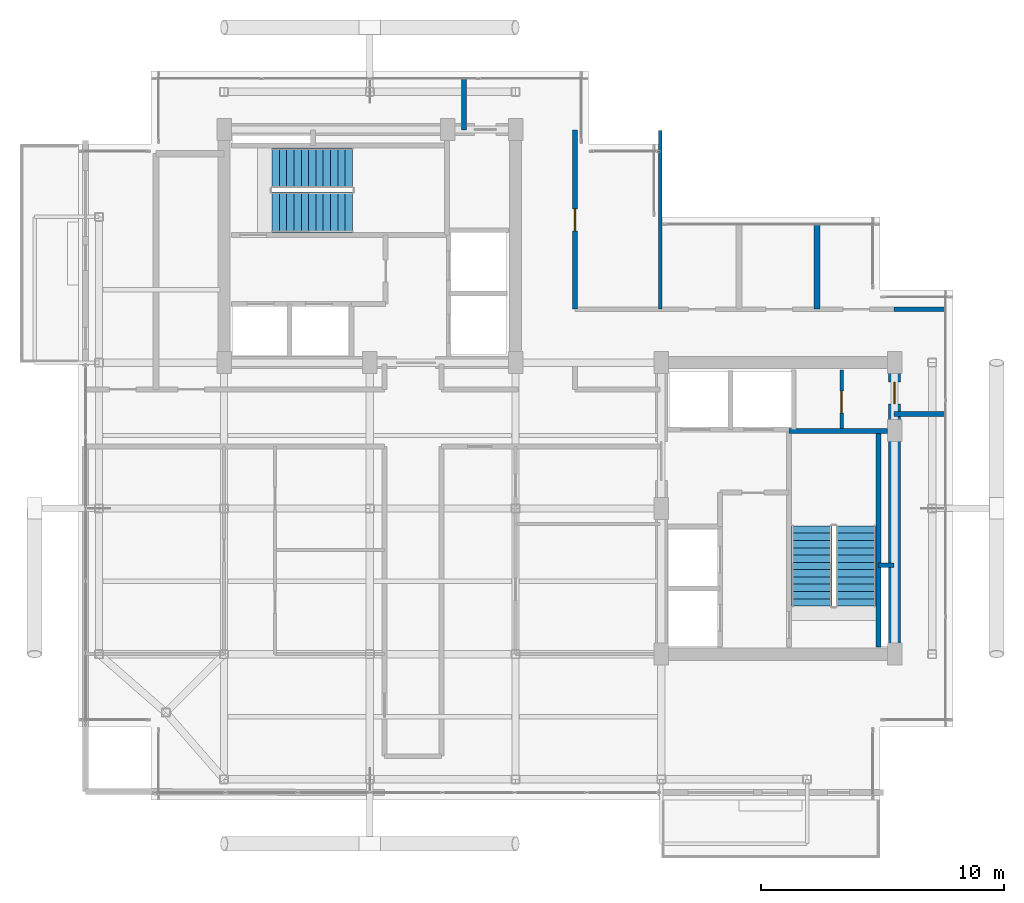
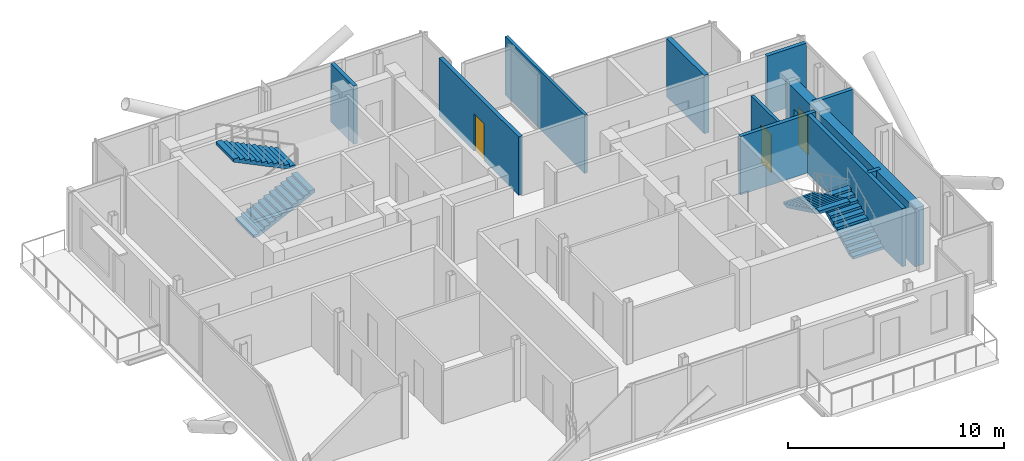
# One storey, part 16 of 18: 11 walls, 4 stair flights, 3 doors, 3 openings, 2 elements without a shape of their own.
"""IFC4 building model written with IfcOpenShell, lengths in metres."""

import ifcopenshell
import ifcopenshell.guid

model = None  # the IFC model being written
_history = None  # IfcOwnerHistory: only IFC2X3 demands one
_inside = {}  # id of a spatial element -> (the spatial element, [elements in it])
_under = {}  # id of a project, library or spatial element -> (it, [spatial elements below it])
_declared = {}  # id of a project -> (the project, [libraries it declares])
_typed = {}  # id of a type object -> (the type object, [elements of that type])
_made_of = {}  # id of a material, layer set ... -> (it, [elements and type objects made of it])


def new_model(schema):
    """Start an empty IFC model of exactly this schema.

    Asked for "IFC4X3", IfcOpenShell would pick the latest addendum, in which some entities
    have other attributes; the version numbers below select the first issue.
    IFC2X3 requires an IfcOwnerHistory on every rooted entity: one is made here for all.
    """
    global model, _history
    if schema == "IFC4X3":
        model = ifcopenshell.file(schema_version=(4, 3, 0, 0))
    else:
        model = ifcopenshell.file(schema=schema)
    _inside.clear()
    _under.clear()
    _declared.clear()
    _typed.clear()
    _made_of.clear()
    _history = None
    if model.schema == "IFC2X3":
        org = make("IfcOrganization", Name="unknown")
        user = make(
            "IfcPersonAndOrganization",
            ThePerson=make("IfcPerson", FamilyName="unknown"),
            TheOrganization=org,
        )
        app = make(
            "IfcApplication",
            ApplicationDeveloper=org,
            Version="unknown",
            ApplicationFullName="unknown",
            ApplicationIdentifier="unknown",
        )
        _history = make(
            "IfcOwnerHistory",
            OwningUser=user,
            OwningApplication=app,
            ChangeAction="ADDED",
            CreationDate=0,
        )
    return model


def make(cls, **values):
    """One entity of the class cls with the attributes given. An attribute that is None is left unset."""
    return model.create_entity(
        cls, **{name: value for name, value in values.items() if value is not None}
    )


def rooted(cls, **values):
    """An entity with a GlobalId (a new one), such as an element, a storey or a relation."""
    return make(cls, GlobalId=ifcopenshell.guid.new(), OwnerHistory=_history, **values)


def si_unit(unit_type, name, prefix=None):
    """IfcSIUnit, for example si_unit("LENGTHUNIT", "METRE", prefix="MILLI")."""
    return make("IfcSIUnit", UnitType=unit_type, Prefix=prefix, Name=name)


def assignment(units):
    """IfcUnitAssignment: the units of a project."""
    return None if units is None else make("IfcUnitAssignment", Units=units)


def point(xyz):
    """IfcCartesianPoint."""
    return None if xyz is None else make("IfcCartesianPoint", Coordinates=xyz)


def direction(xyz):
    """IfcDirection."""
    return None if xyz is None else make("IfcDirection", DirectionRatios=xyz)


def frame(location, z_axis=None, x_axis=None):
    """IfcAxis2Placement3D, a coordinate frame: its origin and axes. An axis left out is left unset."""
    return make(
        "IfcAxis2Placement3D",
        Location=point(location),
        Axis=direction(z_axis),
        RefDirection=direction(x_axis),
    )


def frame_2d(location, x_axis=None):
    """IfcAxis2Placement2D, a coordinate frame in the plane: its origin and x axis."""
    return make(
        "IfcAxis2Placement2D", Location=point(location), RefDirection=direction(x_axis)
    )


def origin():
    """The frame at (0, 0, 0) with its axes left unset."""
    return frame((0.0, 0.0, 0.0))


def place(relative_to, where):
    """IfcLocalPlacement: puts the frame where relative to a parent placement (None: the world)."""
    return make(
        "IfcLocalPlacement", PlacementRelTo=relative_to, RelativePlacement=where
    )


def context(
    kind, dimensions, precision=None, world=None, true_north=None, identifier=None
):
    """IfcGeometricRepresentationContext, for example the 3D "Model" context."""
    return make(
        "IfcGeometricRepresentationContext",
        ContextIdentifier=identifier,
        ContextType=kind,
        CoordinateSpaceDimension=dimensions,
        Precision=precision,
        WorldCoordinateSystem=world,
        TrueNorth=true_north,
    )


def subcontext(parent, identifier, kind, view, scale=None):
    """IfcGeometricRepresentationSubContext, for example "Body" below "Model"."""
    return make(
        "IfcGeometricRepresentationSubContext",
        ContextIdentifier=identifier,
        ContextType=kind,
        ParentContext=parent,
        TargetScale=scale,
        TargetView=view,
    )


def project(units=None, contexts=None):
    """IfcProject with its units and contexts."""
    return rooted(
        "IfcProject",
        Name="project",
        RepresentationContexts=contexts,
        UnitsInContext=assignment(units),
    )


def spatial(cls, under=None, at=None, **own):
    """A site, building, storey or space (cls), placed at a placement, below another one or the project."""
    s = rooted(cls, ObjectPlacement=at, **own)
    if under is not None:
        _under.setdefault(under.id(), (under, []))[1].append(s)
    return s


def polyline(points):
    """IfcPolyline through the points."""
    return make("IfcPolyline", Points=[point(p) for p in points])


def profile(cls, at=None, kind="AREA", **sizes):
    """A parametric profile (cls). Its sizes go by their IFC names, for example OverallWidth=200.0."""
    return make(cls, ProfileType=kind, Position=at, **sizes)


def rectangle(**sizes):
    """IfcRectangleProfileDef."""
    return profile("IfcRectangleProfileDef", **sizes)


def outline(outer, holes=None, kind="AREA"):
    """IfcArbitraryClosedProfileDef: a profile drawn as a closed curve; with holes, ...WithVoids."""
    if holes is None:
        return make("IfcArbitraryClosedProfileDef", ProfileType=kind, OuterCurve=outer)
    return make(
        "IfcArbitraryProfileDefWithVoids",
        ProfileType=kind,
        OuterCurve=outer,
        InnerCurves=holes,
    )


def extrude(swept, where, along, depth):
    """IfcExtrudedAreaSolid: the profile swept, set in the frame where, extruded along a direction by depth."""
    return make(
        "IfcExtrudedAreaSolid",
        SweptArea=swept,
        Position=where,
        ExtrudedDirection=direction(along),
        Depth=depth,
    )


def shape(context_of_items, identifier, shape_type, items):
    """IfcShapeRepresentation: the items that make up one representation, for example the "Body"."""
    return make(
        "IfcShapeRepresentation",
        ContextOfItems=context_of_items,
        RepresentationIdentifier=identifier,
        RepresentationType=shape_type,
        Items=items,
    )


def material(Name=None, Category=None):
    """IfcMaterial."""
    return make("IfcMaterial", Name=Name, Category=Category)


def layer(
    of_material, thickness, ventilated=None, Name=None, Category=None, Priority=None
):
    """IfcMaterialLayer: one layer of a wall or slab, of a material (None: an air gap)."""
    return make(
        "IfcMaterialLayer",
        Material=of_material,
        LayerThickness=thickness,
        IsVentilated=ventilated,
        Name=Name,
        Category=Category,
        Priority=Priority,
    )


def layer_set(layers, Name=None):
    """IfcMaterialLayerSet."""
    return make("IfcMaterialLayerSet", MaterialLayers=layers, LayerSetName=Name)


def made_of(thing, what):
    """Note that an element or type object is made of a material, layer set ...; save() writes the relation."""
    if what is not None:
        _made_of.setdefault(what.id(), (what, []))[1].append(thing)
    return thing


def type_object(cls, material=None, **own):
    """A type object (cls), such as IfcWallType, which elements share."""
    return made_of(rooted(cls, **own), material)


def element(
    cls,
    number,
    at=None,
    inside=None,
    cuts=None,
    type_object=None,
    material=None,
    context=None,
    identifier="Body",
    shape_type=None,
    held_by="IfcProductDefinitionShape",
    body=None,
    shapes=None,
    **own,
):
    """One element of the class cls, such as IfcWall. Its Tag is "e" and its number.

    at: its placement. inside: the storey or other place that contains it. cuts: it is an
    opening in that element (IfcRelVoidsElement). A single representation is given by context,
    identifier, shape_type and body (its items); several are given by shapes. held_by: the class
    of the entity that holds the representations. save() writes the other relations.
    """
    e = rooted(cls, Tag="e%d" % number, ObjectPlacement=at, **own)
    if body is not None:
        shapes = [shape(context, identifier, shape_type, body)]
    if shapes is not None:
        e.Representation = make(held_by, Representations=shapes)
    if inside is not None:
        _inside.setdefault(inside.id(), (inside, []))[1].append(e)
    if cuts is not None:
        rooted(
            "IfcRelVoidsElement", RelatingBuildingElement=cuts, RelatedOpeningElement=e
        )
    if type_object is not None:
        _typed.setdefault(type_object.id(), (type_object, []))[1].append(e)
    return made_of(e, material)


def fill(opening, filler):
    """IfcRelFillsElement: the door or window that sits in an opening."""
    return rooted(
        "IfcRelFillsElement",
        RelatingOpeningElement=opening,
        RelatedBuildingElement=filler,
    )


def aggregate(whole, parts):
    """IfcRelAggregates: a whole, such as a stair, and the parts it consists of."""
    return rooted("IfcRelAggregates", RelatingObject=whole, RelatedObjects=parts)


def save(model, path):
    """Write the relations noted so far, then the file.

    IfcRelAggregates (storeys below a building ...), IfcRelContainedInSpatialStructure (elements
    in a storey), IfcRelDefinesByType, IfcRelAssociatesMaterial and IfcRelDeclares: one each for
    every whole, place, type object, material and project.
    """
    for whole, parts in _under.values():
        aggregate(whole, parts)
    for where, things in _inside.values():
        rooted(
            "IfcRelContainedInSpatialStructure",
            RelatedElements=things,
            RelatingStructure=where,
        )
    for kind, things in _typed.values():
        rooted("IfcRelDefinesByType", RelatedObjects=things, RelatingType=kind)
    for what, things in _made_of.values():
        rooted("IfcRelAssociatesMaterial", RelatedObjects=things, RelatingMaterial=what)
    for by, libraries in _declared.values():
        rooted("IfcRelDeclares", RelatingContext=by, RelatedDefinitions=libraries)
    model.write(path)


model = new_model("IFC4")

# Units and contexts
model_context = context("Model", 3, precision=1e-05, world=origin(), true_north=direction((0.0, 1.0)))
body_context = subcontext(model_context, "Body", "Model", "MODEL_VIEW")
ifc_project = project(units=[si_unit("LENGTHUNIT", "METRE"), si_unit("AREAUNIT", "SQUARE_METRE"), si_unit("VOLUMEUNIT", "CUBIC_METRE"), si_unit("PLANEANGLEUNIT", "RADIAN"), si_unit("MASSUNIT", "GRAM", prefix="KILO"), si_unit("THERMODYNAMICTEMPERATUREUNIT", "KELVIN"), si_unit("POWERUNIT", "WATT")], contexts=[model_context])

# Site, building, storey
site_placement = place(None, origin())
site = spatial("IfcSite", under=ifc_project, at=site_placement, CompositionType="ELEMENT")
building_placement = place(site_placement, origin())
building = spatial("IfcBuilding", under=site, at=building_placement, Name="Svarakhadi Broadcast Tower", CompositionType="ELEMENT")
storey_placement = place(building_placement, frame((0.0, 0.0, 246.699951171875)))
storey = spatial("IfcBuildingStorey", under=building, at=storey_placement, Name="L61", CompositionType="ELEMENT", Elevation=246.699951171875)

# Wall
ifc_material_1 = material(Name="Double-Stud Acoustic Studio Partition STC-62", Category="gypsum")
ifc_layer_1 = layer(ifc_material_1, 0.199951171875)
ifc_layer_set_1 = layer_set([ifc_layer_1], Name="Double-Stud Acoustic Studio Partition STC-62")
wall_type_1 = type_object("IfcWallType", Name="Wall_Acoust_200", PredefinedType="PARTITIONING", material=ifc_layer_set_1)
wall_1_placement = place(storey_placement, frame((15.8798828125, 27.580078125, 0.0), z_axis=(0.0, 0.0, 1.0), x_axis=(0.0, 1.0, 0.0)))
element("IfcWall", 1, at=wall_1_placement, inside=storey, type_object=wall_type_1, Name="L61 Upper Tower Concourse Wall", PredefinedType="PARTITIONING", context=body_context, shape_type="SweptSolid", body=[
    extrude(rectangle(XDim=2.119873046875, YDim=0.199951171875, at=frame_2d((1.06005859375, 0.0))), origin(), (0.0, 0.0, 1.0), 3.300048828125),
])

# Wall, opening, door
wall_2_placement = place(storey_placement, frame((20.449951171875, 27.580078125, 0.0), z_axis=(0.0, 0.0, 1.0), x_axis=(0.0, -1.0, 0.0)))
wall_2 = element("IfcWall", 2, at=wall_2_placement, inside=storey, type_object=wall_type_1, Name="L61 Upper Tower Concourse Wall", PredefinedType="PARTITIONING", context=body_context, shape_type="SweptSolid", body=[
    extrude(rectangle(XDim=7.380126953125, YDim=0.199951171875, at=frame_2d((3.68994140625, 0.0))), origin(), (0.0, 0.0, 1.0), 3.300048828125),
])
opening_1_placement = place(wall_2_placement, frame((3.2548828125, 0.0, 0.0)))
opening_1 = element("IfcOpeningElement", 3, at=opening_1_placement, cuts=wall_2, Name="Opening D-12", PredefinedType="OPENING", context=body_context, shape_type="SweptSolid", body=[
    extrude(rectangle(XDim=0.89990234375, YDim=2.10009765625, at=frame_2d((0.449951171875, 1.050048828125))), frame((0.0, 0.10986328125, 0.0), z_axis=(0.0, -1.0, 0.0), x_axis=(1.0, 0.0, 0.0)), (0.0, 0.0, 1.0), 0.219970703125),
])
ifc_material_2 = material(Name="Solid-Core Teak Veneer Acoustic Timber Leaf", Category="wood")
door_type_1 = type_object("IfcDoorType", Name="Door_WC_D01", OperationType="SINGLE_SWING_LEFT", PredefinedType="DOOR", material=ifc_material_2)
door_1_placement = place(opening_1_placement, origin())
door_1 = element("IfcDoor", 4, at=door_1_placement, inside=storey, type_object=door_type_1, Name="L61 Accessible Visitor Washroom WC Door", OperationType="SINGLE_SWING_LEFT", OverallHeight=2.10009765625, OverallWidth=0.89990234375, PredefinedType="DOOR", context=body_context, shape_type="SweptSolid", body=[
    extrude(rectangle(XDim=0.89990234375, YDim=2.10009765625, at=frame_2d((0.449951171875, 1.050048828125))), frame((0.0, 0.02490234375, 0.0), z_axis=(0.0, -1.0, 0.0), x_axis=(1.0, 0.0, 0.0)), (0.0, 0.0, 1.0), 0.050048828125),
])
fill(opening_1, door_1)

# Walls
for number, where, z_axis, x_axis, name in (
    (5, (33.580078125, 20.199951171875, 0.0), (0.0, 0.0, 1.0), (1.0, 0.0, 0.0), "L61 Upper Tower Concourse Wall"),
    (6, (35.699951171875, 15.8798828125, 0.0), (0.0, 0.0, 1.0), (-1.0, 0.0, 0.0), "L61 Upper Tower Concourse Wall"),
):
    element("IfcWall", number, at=place(storey_placement, frame(where, z_axis=z_axis, x_axis=x_axis)), inside=storey, type_object=wall_type_1, Name=name, PredefinedType="PARTITIONING", context=body_context, shape_type="SweptSolid", body=[
        extrude(rectangle(XDim=2.119873046875, YDim=0.199951171875, at=frame_2d((1.06005859375, 0.0))), origin(), (0.0, 0.0, 1.0), 3.300048828125),
    ])
ifc_layer_2 = layer(ifc_material_1, 0.25)
ifc_layer_set_2 = layer_set([ifc_layer_2], Name="Double-Stud Acoustic Studio Partition STC-62")
wall_type_2 = type_object("IfcWallType", Name="Wall_Acoust_250", PredefinedType="PARTITIONING", material=ifc_layer_set_2)
wall_3_placement = place(storey_placement, frame((30.39990234375, 20.199951171875, 0.0), z_axis=(0.0, 0.0, 1.0), x_axis=(0.0, 1.0, 0.0)))
element("IfcWall", 7, at=wall_3_placement, inside=storey, type_object=wall_type_2, Name="L61 Private Sommelier Tasting Pantry Wall", PredefinedType="PARTITIONING", context=body_context, shape_type="SweptSolid", body=[
    extrude(rectangle(XDim=3.5, YDim=0.25, at=frame_2d((1.75, 0.0))), origin(), (0.0, 0.0, 1.0), 3.300048828125),
])
ifc_material_3 = material(Name="Concrete C40/50 (IS 456 M50)", Category="concrete")
ifc_layer_3 = layer(ifc_material_3, 0.199951171875)
ifc_layer_set_3 = layer_set([ifc_layer_3], Name="Concrete C40/50 (IS 456 M50)")
wall_type_3 = type_object("IfcWallType", Name="Wall_Fire_200", PredefinedType="SOLIDWALL", material=ifc_layer_set_3)
wall_4_placement = place(storey_placement, frame((32.93994140625, 9.659912109375, 0.0), z_axis=(0.0, 0.0, 1.0), x_axis=(1.0, 0.0, 0.0)))
element("IfcWall", 8, at=wall_4_placement, inside=storey, type_object=wall_type_3, Name="L61 HV Busduct Riser Shaft North Wall", PredefinedType="SOLIDWALL", context=body_context, shape_type="SweptSolid", body=[
    extrude(rectangle(XDim=0.64013671875, YDim=0.199951171875, at=frame_2d((0.320068359375, 0.0))), origin(), (0.0, 0.0, 1.0), 3.300048828125),
])

# Wall, opening, door
ifc_material_4 = material(Name="Autoclaved Aerated Concrete Blockwork 150 mm", Category="masonry")
ifc_layer_4 = layer(ifc_material_4, 0.14990234375)
ifc_layer_set_4 = layer_set([ifc_layer_4], Name="Autoclaved Aerated Concrete Blockwork 150 mm")
wall_type_4 = type_object("IfcWallType", Name="Wall_Part_150", PredefinedType="PARTITIONING", material=ifc_layer_set_4)
wall_5_placement = place(storey_placement, frame((31.419921875, 15.280029296875, 0.0), z_axis=(0.0, 0.0, 1.0), x_axis=(0.0, 1.0, 0.0)))
wall_5 = element("IfcWall", 9, at=wall_5_placement, inside=storey, type_object=wall_type_4, Name="L61 Core Service Split Wall", PredefinedType="PARTITIONING", context=body_context, shape_type="SweptSolid", body=[
    extrude(rectangle(XDim=2.419921875, YDim=0.14990234375, at=frame_2d((1.2099609375, 0.0))), origin(), (0.0, 0.0, 1.0), 3.300048828125),
])
opening_2_placement = place(wall_5_placement, frame((0.64990234375, 0.0, 0.0)))
opening_2 = element("IfcOpeningElement", 10, at=opening_2_placement, cuts=wall_5, Name="Opening D-03", PredefinedType="OPENING", context=body_context, shape_type="SweptSolid", body=[
    extrude(rectangle(XDim=0.89990234375, YDim=2.14990234375, at=frame_2d((0.449951171875, 1.074951171875))), frame((0.0, 0.0849609375, 0.0), z_axis=(0.0, -1.0, 0.0), x_axis=(1.0, 0.0, 0.0)), (0.0, 0.0, 1.0), 0.169921875),
])
ifc_material_5 = material(Name="Galvanised Powder-Coated Fire-Rated Steel Leaf", Category="steel")
door_type_2 = type_object("IfcDoorType", Name="Door_Fire_D03", OperationType="SINGLE_SWING_LEFT", PredefinedType="DOOR", material=ifc_material_5)
door_2_placement = place(opening_2_placement, origin())
door_2 = element("IfcDoor", 11, at=door_2_placement, inside=storey, type_object=door_type_2, Name="L61 Core Inner Riser Store Door", OperationType="SINGLE_SWING_LEFT", OverallHeight=2.14990234375, OverallWidth=0.89990234375, PredefinedType="DOOR", context=body_context, shape_type="SweptSolid", body=[
    extrude(rectangle(XDim=0.89990234375, YDim=2.14990234375, at=frame_2d((0.449951171875, 1.074951171875))), frame((0.0, 0.02490234375, 0.0), z_axis=(0.0, -1.0, 0.0), x_axis=(1.0, 0.0, 0.0)), (0.0, 0.0, 1.0), 0.050048828125),
])
fill(opening_2, door_2)

# Walls
wall_6_placement = place(storey_placement, frame((23.949951171875, 20.199951171875, 0.0), z_axis=(0.0, 0.0, 1.0), x_axis=(0.0, 1.0, 0.0)))
element("IfcWall", 12, at=wall_6_placement, inside=storey, type_object=wall_type_4, Name="L61 Accessible Visitor Washroom WC Wall", PredefinedType="PARTITIONING", context=body_context, shape_type="SweptSolid", body=[
    extrude(rectangle(XDim=7.35009765625, YDim=0.14990234375, at=frame_2d((3.675048828125, 0.0))), origin(), (0.0, 0.0, 1.0), 3.300048828125),
])
ifc_material_6 = material(Name="Concrete C50/60 (IS 456 M60)", Category="concrete")
ifc_layer_5 = layer(ifc_material_6, 0.199951171875)
ifc_layer_set_5 = layer_set([ifc_layer_5], Name="Concrete C50/60 (IS 456 M60)")
wall_type_5 = type_object("IfcWallType", Name="Wall_Shear_200", PredefinedType="SHEAR", material=ifc_layer_set_5)
wall_7_placement = place(storey_placement, frame((32.93994140625, 6.300048828125, 0.0), z_axis=(0.0, 0.0, 1.0), x_axis=(0.0, 1.0, 0.0)))
element("IfcWall", 13, at=wall_7_placement, inside=storey, type_object=wall_type_5, Name="L61 Stair ST-02 East RC Shaft Wall", PredefinedType="SHEAR", context=body_context, shape_type="SweptSolid", body=[
    extrude(rectangle(XDim=8.8798828125, YDim=0.199951171875, at=frame_2d((4.43994140625, 0.0))), origin(), (0.0, 0.0, 1.0), 3.300048828125),
])
wall_8_placement = place(storey_placement, frame((29.260009765625, 15.179931640625, 0.0), z_axis=(0.0, 0.0, 1.0), x_axis=(1.0, 0.0, 0.0)))
element("IfcWall", 14, at=wall_8_placement, inside=storey, type_object=wall_type_5, Name="L61 Stair ST-02 North RC Shaft Wall", PredefinedType="SHEAR", context=body_context, shape_type="SweptSolid", body=[
    extrude(rectangle(XDim=4.0400390625, YDim=0.199951171875, at=frame_2d((2.02001953125, 0.0))), origin(), (0.0, 0.0, 1.0), 3.300048828125),
])

# Wall, opening, door
ifc_layer_6 = layer(ifc_material_6, 0.5)
ifc_layer_set_6 = layer_set([ifc_layer_6], Name="Concrete C50/60 (IS 456 M60)")
wall_type_6 = type_object("IfcWallType", Name="Wall_Shear_500", PredefinedType="SHEAR", material=ifc_layer_set_6)
wall_9_placement = place(storey_placement, frame((33.60009765625, 6.0, 0.0), z_axis=(0.0, 0.0, 1.0), x_axis=(0.0, 1.0, 0.0)))
wall_9 = element("IfcWall", 15, at=wall_9_placement, inside=storey, type_object=wall_type_6, Name="L61 East Core East Shear Wall", PredefinedType="SHEAR", context=body_context, shape_type="SweptSolid", body=[
    extrude(rectangle(XDim=12.0, YDim=0.5, at=frame_2d((6.0, 0.0))), origin(), (0.0, 0.0, 1.0), 3.300048828125),
])
opening_3_placement = place(wall_9_placement, frame((10.300048828125, 0.0, 0.0)))
opening_3 = element("IfcOpeningElement", 16, at=opening_3_placement, cuts=wall_9, Name="Opening D-03", PredefinedType="OPENING", context=body_context, shape_type="SweptSolid", body=[
    extrude(rectangle(XDim=0.89990234375, YDim=2.14990234375, at=frame_2d((0.449951171875, 1.074951171875))), frame((0.0, 0.260009765625, 0.0), z_axis=(0.0, -1.0, 0.0), x_axis=(1.0, 0.0, 0.0)), (0.0, 0.0, 1.0), 0.52001953125),
])
door_3_placement = place(opening_3_placement, origin())
door_3 = element("IfcDoor", 17, at=door_3_placement, inside=storey, type_object=door_type_2, Name="L61 Core Outer Service Store Door", OperationType="SINGLE_SWING_LEFT", OverallHeight=2.14990234375, OverallWidth=0.89990234375, PredefinedType="DOOR", context=body_context, shape_type="SweptSolid", body=[
    extrude(rectangle(XDim=0.89990234375, YDim=2.14990234375, at=frame_2d((0.449951171875, 1.074951171875))), frame((0.0, 0.02490234375, 0.0), z_axis=(0.0, -1.0, 0.0), x_axis=(1.0, 0.0, 0.0)), (0.0, 0.0, 1.0), 0.050048828125),
])
fill(opening_3, door_3)

# Stair, stair flights
stair_type = type_object("IfcStairType", Name="Stair_Exit_Core", PredefinedType="HALF_TURN_STAIR", material=ifc_material_3)
stair_1_placement = place(storey_placement, origin())
stair_1 = element("IfcStair", 18, at=stair_1_placement, inside=storey, type_object=stair_type, Name="L61 West Core Protected Exit Stair ST-01", PredefinedType="HALF_TURN_STAIR")
stair_flight_type = type_object("IfcStairFlightType", Name="Flight_RC_1680", PredefinedType="STRAIGHT", material=ifc_material_3)
stair_flight_1_placement = place(storey_placement, frame((7.97998046875, 24.18994140625, 0.0), z_axis=(0.0, 0.0, 1.0), x_axis=(1.0, 0.0, 0.0)))
stair_flight_1 = element("IfcStairFlight", 19, at=stair_flight_1_placement, type_object=stair_flight_type, Name="ST-01 flight 1", NumberOfRisers=12, NumberOfTreads=11, PredefinedType="STRAIGHT", RiserHeight=0.145833333, TreadLength=0.3, context=body_context, shape_type="SweptSolid", body=[
    extrude(outline(polyline([(0.0, 0.0), (0.0, 0.145751953125), (0.300048828125, 0.145751953125), (0.300048828125, 0.291748046875), (0.60009765625, 0.291748046875), (0.60009765625, 0.4375), (0.89990234375, 0.4375), (0.89990234375, 0.583251953125), (1.199951171875, 0.583251953125), (1.199951171875, 0.729248046875), (1.5, 0.729248046875), (1.5, 0.875), (1.800048828125, 0.875), (1.800048828125, 1.020751953125), (2.10009765625, 1.020751953125), (2.10009765625, 1.166748046875), (2.39990234375, 1.166748046875), (2.39990234375, 1.3125), (2.699951171875, 1.3125), (2.699951171875, 1.458251953125), (3.0, 1.458251953125), (3.0, 1.604248046875), (3.300048828125, 1.604248046875), (3.300048828125, 1.75), (3.300048828125, 1.4375), (0.3427734375, 0.0), (0.0, 0.0)])), frame((0.0, 0.830078125, 0.0), z_axis=(0.0, -1.0, 0.0), x_axis=(1.0, 0.0, 0.0)), (0.0, 0.0, 1.0), 1.659912109375),
])
stair_flight_2_placement = place(storey_placement, frame((11.280029296875, 26.010009765625, 1.75), z_axis=(0.0, 0.0, 1.0), x_axis=(-1.0, 0.0, 0.0)))
stair_flight_2 = element("IfcStairFlight", 20, at=stair_flight_2_placement, type_object=stair_flight_type, Name="ST-01 flight 2", NumberOfRisers=12, NumberOfTreads=11, PredefinedType="STRAIGHT", RiserHeight=0.145833333, TreadLength=0.3, context=body_context, shape_type="SweptSolid", body=[
    extrude(outline(polyline([(0.0, 0.0), (0.0, 0.145751953125), (0.300048828125, 0.145751953125), (0.300048828125, 0.291748046875), (0.60009765625, 0.291748046875), (0.60009765625, 0.4375), (0.89990234375, 0.4375), (0.89990234375, 0.583251953125), (1.199951171875, 0.583251953125), (1.199951171875, 0.729248046875), (1.5, 0.729248046875), (1.5, 0.875), (1.800048828125, 0.875), (1.800048828125, 1.020751953125), (2.10009765625, 1.020751953125), (2.10009765625, 1.166748046875), (2.39990234375, 1.166748046875), (2.39990234375, 1.3125), (2.699951171875, 1.3125), (2.699951171875, 1.458251953125), (3.0, 1.458251953125), (3.0, 1.604248046875), (3.300048828125, 1.604248046875), (3.300048828125, 1.75), (3.300048828125, 1.4375), (0.3427734375, 0.0), (0.0, 0.0)])), frame((0.0, 0.830078125, 0.0), z_axis=(0.0, -1.0, 0.0), x_axis=(1.0, 0.0, 0.0)), (0.0, 0.0, 1.0), 1.659912109375),
])
aggregate(stair_1, [stair_flight_1, stair_flight_2])

stair_2_placement = place(storey_placement, origin())
stair_2 = element("IfcStair", 21, at=stair_2_placement, inside=storey, type_object=stair_type, Name="L61 East Core Protected Exit Stair ST-02", PredefinedType="HALF_TURN_STAIR")
stair_flight_3_placement = place(storey_placement, frame((32.010009765625, 7.97998046875, 0.0), z_axis=(0.0, 0.0, 1.0), x_axis=(0.0, 1.0, 0.0)))
stair_flight_3 = element("IfcStairFlight", 22, at=stair_flight_3_placement, type_object=stair_flight_type, Name="ST-02 flight 1", NumberOfRisers=12, NumberOfTreads=11, PredefinedType="STRAIGHT", RiserHeight=0.145833333, TreadLength=0.3, context=body_context, shape_type="SweptSolid", body=[
    extrude(outline(polyline([(0.0, 0.0), (0.0, 0.145751953125), (0.300048828125, 0.145751953125), (0.300048828125, 0.291748046875), (0.60009765625, 0.291748046875), (0.60009765625, 0.4375), (0.89990234375, 0.4375), (0.89990234375, 0.583251953125), (1.199951171875, 0.583251953125), (1.199951171875, 0.729248046875), (1.5, 0.729248046875), (1.5, 0.875), (1.800048828125, 0.875), (1.800048828125, 1.020751953125), (2.10009765625, 1.020751953125), (2.10009765625, 1.166748046875), (2.39990234375, 1.166748046875), (2.39990234375, 1.3125), (2.699951171875, 1.3125), (2.699951171875, 1.458251953125), (3.0, 1.458251953125), (3.0, 1.604248046875), (3.300048828125, 1.604248046875), (3.300048828125, 1.75), (3.300048828125, 1.4375), (0.3427734375, 0.0), (0.0, 0.0)])), frame((0.0, 0.830078125, 0.0), z_axis=(0.0, -1.0, 0.0), x_axis=(1.0, 0.0, 0.0)), (0.0, 0.0, 1.0), 1.659912109375),
])
stair_flight_4_placement = place(storey_placement, frame((30.18994140625, 11.280029296875, 1.75), z_axis=(0.0, 0.0, 1.0), x_axis=(0.0, -1.0, 0.0)))
stair_flight_4 = element("IfcStairFlight", 23, at=stair_flight_4_placement, type_object=stair_flight_type, Name="ST-02 flight 2", NumberOfRisers=12, NumberOfTreads=11, PredefinedType="STRAIGHT", RiserHeight=0.145833333, TreadLength=0.3, context=body_context, shape_type="SweptSolid", body=[
    extrude(outline(polyline([(0.0, 0.0), (0.0, 0.145751953125), (0.300048828125, 0.145751953125), (0.300048828125, 0.291748046875), (0.60009765625, 0.291748046875), (0.60009765625, 0.4375), (0.89990234375, 0.4375), (0.89990234375, 0.583251953125), (1.199951171875, 0.583251953125), (1.199951171875, 0.729248046875), (1.5, 0.729248046875), (1.5, 0.875), (1.800048828125, 0.875), (1.800048828125, 1.020751953125), (2.10009765625, 1.020751953125), (2.10009765625, 1.166748046875), (2.39990234375, 1.166748046875), (2.39990234375, 1.3125), (2.699951171875, 1.3125), (2.699951171875, 1.458251953125), (3.0, 1.458251953125), (3.0, 1.604248046875), (3.300048828125, 1.604248046875), (3.300048828125, 1.75), (3.300048828125, 1.4375), (0.3427734375, 0.0), (0.0, 0.0)])), frame((0.0, 0.830078125, 0.0), z_axis=(0.0, -1.0, 0.0), x_axis=(1.0, 0.0, 0.0)), (0.0, 0.0, 1.0), 1.659912109375),
])
aggregate(stair_2, [stair_flight_3, stair_flight_4])

save(model, "model.ifc")
